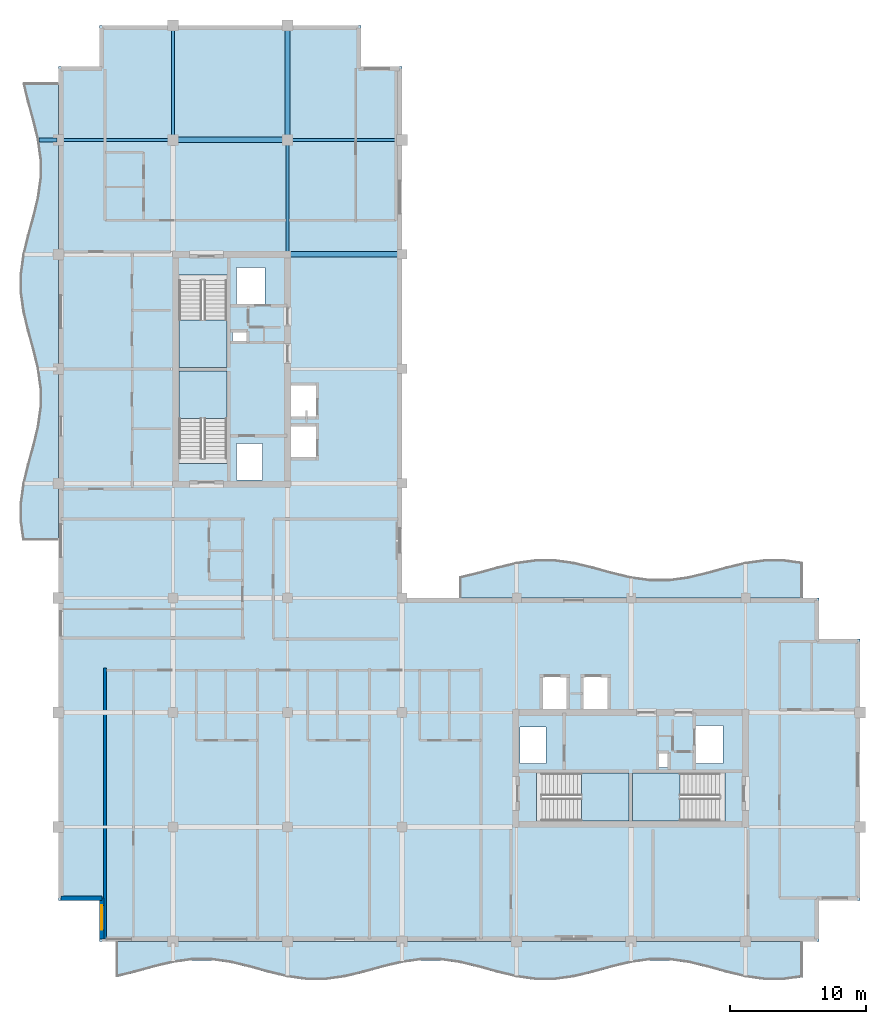
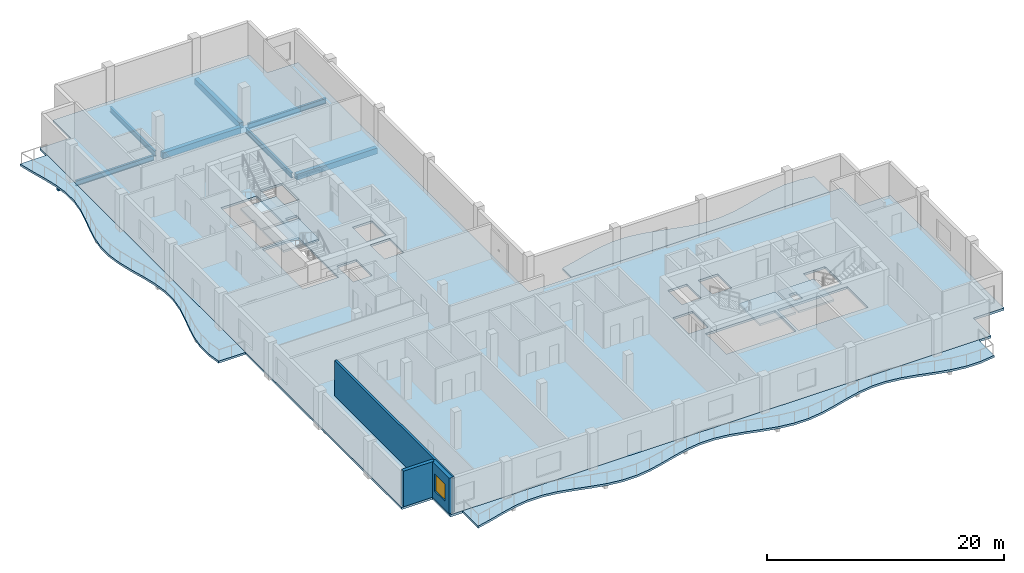
# One storey, part 2 of 11: 8 beams, 8 slabs, 3 walls, 1 window, 1 opening, 4 elements without a shape of their own.
"""IFC4 building model written with IfcOpenShell, lengths in metres."""

from ifc_helpers import new_model, si_unit, direction, frame, frame_2d, origin, origin_2d, place, context, subcontext, project, spatial, polyline, rectangle, i_section, outline, extrude, material, layer, layer_set, material_profile, profile_set, type_object, element, fill, aggregate, save


model = new_model("IFC4")

# Units and contexts
model_context = context("Model", 3, precision=1e-05, world=origin(), true_north=direction((0.0, 1.0)))
body_context = subcontext(model_context, "Body", "Model", "MODEL_VIEW")
ifc_project = project(units=[si_unit("LENGTHUNIT", "METRE"), si_unit("AREAUNIT", "SQUARE_METRE"), si_unit("VOLUMEUNIT", "CUBIC_METRE"), si_unit("PLANEANGLEUNIT", "RADIAN"), si_unit("MASSUNIT", "GRAM", prefix="KILO")], contexts=[model_context])

# Site, building, storey
site_placement = place(None, origin())
site = spatial("IfcSite", under=ifc_project, at=site_placement, CompositionType="ELEMENT")
building_placement = place(site_placement, origin())
building = spatial("IfcBuilding", under=site, at=building_placement, Name="Koriwani Terraces Tower", CompositionType="ELEMENT")
storey_placement = place(building_placement, frame((0.0, 0.0, 312.5)))
storey = spatial("IfcBuildingStorey", under=building, at=storey_placement, Name="L77", CompositionType="ELEMENT", Elevation=312.5)

# Beams
ifc_material_1 = material(Name="Concrete C40/50", Category="concrete")
ifc_material_profile_1 = material_profile(ifc_material_1, rectangle(XDim=0.300048828125, YDim=0.39990234375, at=origin_2d()), Name="Concrete C40/50", Category="LoadBearing")
ifc_profile_set_1 = profile_set([ifc_material_profile_1], Name="Concrete C40/50")
beam_type_1 = type_object("IfcBeamType", Name="BEAM_RC_BALCONY_RIB_300X400", PredefinedType="JOIST", material=ifc_profile_set_1)
beam_1_placement = place(storey_placement, frame((6.980224609375, 67.199951171875, -0.429931640625), z_axis=(1.0, 0.0, 0.0), x_axis=(0.0, 1.0, 0.0)))
element("IfcBeam", 1, at=beam_1_placement, inside=storey, type_object=beam_type_1, Name="L77 Balcony Bracket Rib W-4", PredefinedType="JOIST", context=body_context, shape_type="SweptSolid", body=[
    extrude(rectangle(XDim=0.300048828125, YDim=0.39990234375, at=origin_2d()), origin(), (0.0, 0.0, 1.0), 1.31982421875),
])
ifc_material_profile_2 = material_profile(ifc_material_1, rectangle(XDim=0.39990234375, YDim=0.60009765625, at=origin_2d()), Name="Concrete C40/50", Category="LoadBearing")
ifc_profile_set_2 = profile_set([ifc_material_profile_2], Name="Concrete C40/50")
beam_type_2 = type_object("IfcBeamType", Name="BEAM_RC_GRID_400X600", PredefinedType="BEAM", material=ifc_profile_set_2)
beam_2_placement = place(storey_placement, frame((25.429931640625, 58.800048828125, -0.530029296875), z_axis=(1.0, 0.0, 0.0), x_axis=(0.0, 1.0, 0.0)))
element("IfcBeam", 2, at=beam_2_placement, inside=storey, type_object=beam_type_2, Name="L77 Grid Beam H (25.2-33.6m)", PredefinedType="BEAM", context=body_context, shape_type="SweptSolid", body=[
    extrude(rectangle(XDim=0.39990234375, YDim=0.60009765625, at=origin_2d()), origin(), (0.0, 0.0, 1.0), 7.840087890625),
])
beam_3_placement = place(storey_placement, frame((17.179931640625, 67.199951171875, -0.530029296875), z_axis=(1.0, 0.0, 0.0), x_axis=(0.0, 1.0, 0.0)))
element("IfcBeam", 3, at=beam_3_placement, inside=storey, type_object=beam_type_2, Name="L77 Grid Beam I (16.8-25.2m)", PredefinedType="BEAM", context=body_context, shape_type="SweptSolid", body=[
    extrude(rectangle(XDim=0.39990234375, YDim=0.60009765625, at=origin_2d()), origin(), (0.0, 0.0, 1.0), 7.64013671875),
])
beam_4_placement = place(storey_placement, frame((25.199951171875, 67.580078125, -0.530029296875), z_axis=(0.0, 1.0, 0.0), x_axis=(-1.0, 0.0, 0.0)))
element("IfcBeam", 4, at=beam_4_placement, inside=storey, type_object=beam_type_2, Name="L77 Grid Beam 4 (67.2-75.6m)", PredefinedType="BEAM", context=body_context, shape_type="SweptSolid", body=[
    extrude(rectangle(XDim=0.39990234375, YDim=0.60009765625, at=origin_2d()), origin(), (0.0, 0.0, 1.0), 7.639892578125),
])
ifc_material_2 = material(Name="Steel ASTM A572 Grade 50", Category="steel")
ifc_material_profile_3 = material_profile(ifc_material_2, i_section(OverallWidth=0.2109375, OverallDepth=0.5390625, WebThickness=0.01171875, FlangeThickness=0.018798828125, at=origin_2d()), Name="Steel ASTM A572 Grade 50", Category="LoadBearing")
ifc_profile_set_3 = profile_set([ifc_material_profile_3], Name="Steel ASTM A572 Grade 50")
beam_type_3 = type_object("IfcBeamType", Name="STEEL_BEAM_W530X109", PredefinedType="BEAM", material=ifc_profile_set_3)
for number, where, z_axis, x_axis, name in (
    (5, (8.780029296875, 67.199951171875, -0.49951171875), (1.0, 0.0, 0.0), (0.0, 1.0, 0.0), "L77 Grid Beam I (8.4-16.8m)"),
    (6, (25.580078125, 67.199951171875, -0.49951171875), (1.0, 0.0, 0.0), (0.0, 1.0, 0.0), "L77 Grid Beam I (25.2-33.6m)"),
    (7, (16.800048828125, 67.580078125, -0.49951171875), (0.0, 1.0, 0.0), (-1.0, 0.0, 0.0), "L77 Grid Beam 3 (67.2-75.6m)"),
):
    element("IfcBeam", number, at=place(storey_placement, frame(where, z_axis=z_axis, x_axis=x_axis)), inside=storey, type_object=beam_type_3, Name=name, PredefinedType="BEAM", context=body_context, shape_type="SweptSolid", body=[
        extrude(i_section(OverallWidth=0.2109375, OverallDepth=0.5390625, WebThickness=0.01171875, FlangeThickness=0.018798828125, at=origin_2d()), origin(), (0.0, 0.0, 1.0), 7.639892578125),
    ])
beam_5_placement = place(storey_placement, frame((25.199951171875, 59.030029296875, -0.49951171875), z_axis=(0.0, 1.0, 0.0), x_axis=(-1.0, 0.0, 0.0)))
element("IfcBeam", 8, at=beam_5_placement, inside=storey, type_object=beam_type_3, Name="L77 Grid Beam 4 (58.8-67.2m)", PredefinedType="BEAM", context=body_context, shape_type="SweptSolid", body=[
    extrude(i_section(OverallWidth=0.2109375, OverallDepth=0.5390625, WebThickness=0.01171875, FlangeThickness=0.018798828125, at=origin_2d()), origin(), (0.0, 0.0, 1.0), 7.7900390625),
])

# Slabs
ifc_layer_1 = layer(ifc_material_1, 0.219970703125, Name="Concrete C40/50")
ifc_layer_set_1 = layer_set([ifc_layer_1], Name="Concrete C40/50")
slab_type_1 = type_object("IfcSlabType", Name="SLAB_BALCONY_220", PredefinedType="FLOOR", material=ifc_layer_set_1)
slab_1_placement = place(storey_placement, frame((0.0, 0.0, -0.219970703125)))
element("IfcSlab", 9, at=slab_1_placement, inside=storey, type_object=slab_type_1, Name="L77 Quilted Circular-Arc Balcony (S)", PredefinedType="FLOOR", context=body_context, shape_type="SweptSolid", body=[
    extrude(outline(polyline([(12.60009765625, 8.39990234375), (14.0, 8.39990234375), (15.39990234375, 8.39990234375), (16.800048828125, 8.39990234375), (18.199951171875, 8.39990234375), (19.60009765625, 8.39990234375), (21.0, 8.39990234375), (22.39990234375, 8.39990234375), (23.800048828125, 8.39990234375), (25.199951171875, 8.39990234375), (26.60009765625, 8.39990234375), (28.0, 8.39990234375), (29.39990234375, 8.39990234375), (30.800048828125, 8.39990234375), (32.199951171875, 8.39990234375), (33.60009765625, 8.39990234375), (35.0, 8.39990234375), (36.39990234375, 8.39990234375), (37.800048828125, 8.39990234375), (39.199951171875, 8.39990234375), (40.60009765625, 8.39990234375), (42.0, 8.39990234375), (43.39990234375, 8.39990234375), (44.800048828125, 8.39990234375), (46.199951171875, 8.39990234375), (47.60009765625, 8.39990234375), (49.0, 8.39990234375), (50.39990234375, 8.39990234375), (51.800048828125, 8.39990234375), (53.199951171875, 8.39990234375), (54.60009765625, 8.39990234375), (56.0, 8.39990234375), (57.39990234375, 8.39990234375), (58.800048828125, 8.39990234375), (60.199951171875, 8.39990234375), (61.60009765625, 8.39990234375), (63.0, 8.39990234375), (63.0, 5.769775390625), (61.60009765625, 5.57568359375), (60.199951171875, 5.57568359375), (58.800048828125, 5.769775390625), (57.39990234375, 6.10595703125), (56.0, 6.494140625), (54.60009765625, 6.830322265625), (53.199951171875, 7.0244140625), (51.800048828125, 7.0244140625), (50.39990234375, 6.830322265625), (49.0, 6.494140625), (47.60009765625, 6.10595703125), (46.199951171875, 5.769775390625), (44.800048828125, 5.57568359375), (43.39990234375, 5.57568359375), (42.0, 5.769775390625), (40.60009765625, 6.10595703125), (39.199951171875, 6.494140625), (37.800048828125, 6.830322265625), (36.39990234375, 7.0244140625), (35.0, 7.0244140625), (33.60009765625, 6.830322265625), (32.199951171875, 6.494140625), (30.800048828125, 6.10595703125), (29.39990234375, 5.769775390625), (28.0, 5.57568359375), (26.60009765625, 5.57568359375), (25.199951171875, 5.769775390625), (23.800048828125, 6.10595703125), (22.39990234375, 6.494140625), (21.0, 6.830322265625), (19.60009765625, 7.0244140625), (18.199951171875, 7.0244140625), (16.800048828125, 6.830322265625), (15.39990234375, 6.494140625), (14.0, 6.10595703125), (12.60009765625, 5.769775390625), (12.60009765625, 8.39990234375)])), origin(), (0.0, 0.0, 1.0), 0.219970703125),
])
slab_2_placement = place(storey_placement, frame((0.0, 0.0, -0.219970703125)))
element("IfcSlab", 10, at=slab_2_placement, inside=storey, type_object=slab_type_1, Name="L77 Quilted Circular-Arc Balcony (W)", PredefinedType="FLOOR", context=body_context, shape_type="SweptSolid", body=[
    extrude(outline(polyline([(8.39990234375, 37.800048828125), (8.39990234375, 39.199951171875), (8.39990234375, 40.60009765625), (8.39990234375, 42.0), (8.39990234375, 43.39990234375), (8.39990234375, 44.800048828125), (8.39990234375, 46.199951171875), (8.39990234375, 47.60009765625), (8.39990234375, 49.0), (8.39990234375, 50.39990234375), (8.39990234375, 51.800048828125), (8.39990234375, 53.199951171875), (8.39990234375, 54.60009765625), (8.39990234375, 56.0), (8.39990234375, 57.39990234375), (8.39990234375, 58.800048828125), (8.39990234375, 60.199951171875), (8.39990234375, 61.60009765625), (8.39990234375, 63.0), (8.39990234375, 64.39990234375), (8.39990234375, 65.800048828125), (8.39990234375, 67.199951171875), (8.39990234375, 68.60009765625), (8.39990234375, 70.0), (8.39990234375, 71.39990234375), (5.769775390625, 71.39990234375), (6.10595703125, 70.0), (6.494140625, 68.60009765625), (6.830322265625, 67.199951171875), (7.0244140625, 65.800048828125), (7.0244140625, 64.39990234375), (6.830322265625, 63.0), (6.494140625, 61.60009765625), (6.10595703125, 60.199951171875), (5.769775390625, 58.800048828125), (5.57568359375, 57.39990234375), (5.57568359375, 56.0), (5.769775390625, 54.60009765625), (6.10595703125, 53.199951171875), (6.494140625, 51.800048828125), (6.830322265625, 50.39990234375), (7.0244140625, 49.0), (7.0244140625, 47.60009765625), (6.830322265625, 46.199951171875), (6.494140625, 44.800048828125), (6.10595703125, 43.39990234375), (5.769775390625, 42.0), (5.57568359375, 40.60009765625), (5.57568359375, 39.199951171875), (5.769775390625, 37.800048828125), (8.39990234375, 37.800048828125)])), origin(), (0.0, 0.0, 1.0), 0.219970703125),
])
slab_3_placement = place(storey_placement, frame((0.0, 0.0, -0.219970703125)))
element("IfcSlab", 11, at=slab_3_placement, inside=storey, type_object=slab_type_1, Name="L77 Quilted Circular-Arc Balcony (NE)", PredefinedType="FLOOR", context=body_context, shape_type="SweptSolid", body=[
    extrude(outline(polyline([(63.0, 33.60009765625), (61.60009765625, 33.60009765625), (60.199951171875, 33.60009765625), (58.800048828125, 33.60009765625), (57.39990234375, 33.60009765625), (56.0, 33.60009765625), (54.60009765625, 33.60009765625), (53.199951171875, 33.60009765625), (51.800048828125, 33.60009765625), (50.39990234375, 33.60009765625), (49.0, 33.60009765625), (47.60009765625, 33.60009765625), (46.199951171875, 33.60009765625), (44.800048828125, 33.60009765625), (43.39990234375, 33.60009765625), (42.0, 33.60009765625), (40.60009765625, 33.60009765625), (39.199951171875, 33.60009765625), (37.800048828125, 33.60009765625), (37.800048828125, 35.169677734375), (39.199951171875, 35.505859375), (40.60009765625, 35.89404296875), (42.0, 36.230224609375), (43.39990234375, 36.42431640625), (44.800048828125, 36.42431640625), (46.199951171875, 36.230224609375), (47.60009765625, 35.89404296875), (49.0, 35.505859375), (50.39990234375, 35.169677734375), (51.800048828125, 34.9755859375), (53.199951171875, 34.9755859375), (54.60009765625, 35.169677734375), (56.0, 35.505859375), (57.39990234375, 35.89404296875), (58.800048828125, 36.230224609375), (60.199951171875, 36.42431640625), (61.60009765625, 36.42431640625), (63.0, 36.230224609375), (63.0, 33.60009765625)])), origin(), (0.0, 0.0, 1.0), 0.219970703125),
])
ifc_layer_2 = layer(ifc_material_1, 0.22998046875, Name="Concrete C40/50")
ifc_layer_set_2 = layer_set([ifc_layer_2], Name="Concrete C40/50")
slab_type_2 = type_object("IfcSlabType", Name="SLAB_RES_TYP_230", PredefinedType="FLOOR", material=ifc_layer_set_2)
slab_4_placement = place(storey_placement, frame((0.0, 0.0, -0.22998046875)))
element("IfcSlab", 12, at=slab_4_placement, inside=storey, type_object=slab_type_2, Name="L77 Structural Floor Slab", PredefinedType="FLOOR", context=body_context, shape_type="SweptSolid", body=[
    extrude(outline(polyline([(11.39990234375, 8.39990234375), (64.199951171875, 8.39990234375), (64.199951171875, 11.39990234375), (67.199951171875, 11.39990234375), (67.199951171875, 30.60009765625), (64.199951171875, 30.60009765625), (64.199951171875, 33.60009765625), (33.60009765625, 33.60009765625), (33.60009765625, 72.60009765625), (30.60009765625, 72.60009765625), (30.60009765625, 75.60009765625), (11.39990234375, 75.60009765625), (11.39990234375, 72.60009765625), (8.39990234375, 72.60009765625), (8.39990234375, 11.39990234375), (11.39990234375, 11.39990234375), (11.39990234375, 8.39990234375)]), holes=[polyline([(17.25, 43.4599609375), (20.75, 43.4599609375), (20.75, 50.25), (17.25, 50.25), (17.25, 43.4599609375)]), polyline([(17.25, 50.5), (20.75, 50.5), (20.75, 57.2900390625), (17.25, 57.2900390625), (17.25, 50.5)]), polyline([(43.4599609375, 17.25), (50.25, 17.25), (50.25, 20.75), (43.4599609375, 20.75), (43.4599609375, 17.25)]), polyline([(50.5, 17.25), (57.2900390625, 17.25), (57.2900390625, 20.75), (50.5, 20.75), (50.5, 17.25)]), polyline([(25.449951171875, 43.85009765625), (27.35009765625, 43.85009765625), (27.35009765625, 46.25), (25.449951171875, 46.25), (25.449951171875, 43.85009765625)]), polyline([(25.449951171875, 46.85009765625), (27.35009765625, 46.85009765625), (27.35009765625, 49.25), (25.449951171875, 49.25), (25.449951171875, 46.85009765625)]), polyline([(43.85009765625, 25.449951171875), (45.75, 25.449951171875), (45.75, 27.85009765625), (43.85009765625, 27.85009765625), (43.85009765625, 25.449951171875)]), polyline([(46.85009765625, 25.449951171875), (48.75, 25.449951171875), (48.75, 27.85009765625), (46.85009765625, 27.85009765625), (46.85009765625, 25.449951171875)]), polyline([(21.449951171875, 55.050048828125), (23.550048828125, 55.050048828125), (23.550048828125, 57.85009765625), (21.449951171875, 57.85009765625), (21.449951171875, 55.050048828125)]), polyline([(55.050048828125, 21.449951171875), (57.14990234375, 21.449951171875), (57.14990234375, 24.25), (55.050048828125, 24.25), (55.050048828125, 21.449951171875)]), polyline([(21.449951171875, 42.25), (23.35009765625, 42.25), (23.35009765625, 44.949951171875), (21.449951171875, 44.949951171875), (21.449951171875, 42.25)]), polyline([(42.25, 21.449951171875), (44.14990234375, 21.449951171875), (44.14990234375, 24.14990234375), (42.25, 24.14990234375), (42.25, 21.449951171875)]), polyline([(21.14990234375, 52.419921875), (22.219970703125, 52.419921875), (22.219970703125, 53.179931640625), (21.14990234375, 53.179931640625), (21.14990234375, 52.419921875)]), polyline([(52.419921875, 21.14990234375), (53.179931640625, 21.14990234375), (53.179931640625, 22.219970703125), (52.419921875, 22.219970703125), (52.419921875, 21.14990234375)])]), origin(), (0.0, 0.0, 1.0), 0.22998046875),
])

# Stair, slab
stair_type = type_object("IfcStairType", Name="STAIR_CORE_DOGLEG_1650", PredefinedType="TWO_STRAIGHT_RUN_STAIR", material=ifc_material_1)
stair_1_placement = place(storey_placement, origin())
stair_1 = element("IfcStair", 13, at=stair_1_placement, inside=storey, type_object=stair_type, Name="L77 West Core Exit Stair 1", PredefinedType="HALF_TURN_STAIR")
ifc_layer_3 = layer(ifc_material_1, 0.199951171875, Name="Concrete C40/50")
ifc_layer_set_3 = layer_set([ifc_layer_3], Name="Concrete C40/50")
slab_type_3 = type_object("IfcSlabType", Name="SLAB_STAIR_LANDING_200", PredefinedType="LANDING", material=ifc_layer_set_3)
slab_5_placement = place(storey_placement, frame((0.0, 0.0, 1.75)))
slab_5 = element("IfcSlab", 14, at=slab_5_placement, type_object=slab_type_3, Name="ST-W1 landing 1", PredefinedType="LANDING", context=body_context, shape_type="SweptSolid", body=[
    extrude(outline(polyline([(20.75, 46.75), (20.75, 50.25), (17.25, 50.25), (17.25, 46.75), (20.75, 46.75)])), origin(), (0.0, 0.0, 1.0), 0.199951171875),
])
aggregate(stair_1, [slab_5])

stair_2_placement = place(storey_placement, origin())
stair_2 = element("IfcStair", 15, at=stair_2_placement, inside=storey, type_object=stair_type, Name="L77 West Core Exit Stair 2", PredefinedType="HALF_TURN_STAIR")
slab_6_placement = place(storey_placement, frame((0.0, 0.0, 1.75)))
slab_6 = element("IfcSlab", 16, at=slab_6_placement, type_object=slab_type_3, Name="ST-W2 landing 1", PredefinedType="LANDING", context=body_context, shape_type="SweptSolid", body=[
    extrude(outline(polyline([(17.25, 54.0), (17.25, 50.5), (20.75, 50.5), (20.75, 54.0), (17.25, 54.0)])), origin(), (0.0, 0.0, 1.0), 0.199951171875),
])
aggregate(stair_2, [slab_6])

stair_3_placement = place(storey_placement, origin())
stair_3 = element("IfcStair", 17, at=stair_3_placement, inside=storey, type_object=stair_type, Name="L77 East Core Exit Stair 1", PredefinedType="HALF_TURN_STAIR")
slab_7_placement = place(storey_placement, frame((0.0, 0.0, 1.75)))
slab_7 = element("IfcSlab", 18, at=slab_7_placement, type_object=slab_type_3, Name="ST-E1 landing 1", PredefinedType="LANDING", context=body_context, shape_type="SweptSolid", body=[
    extrude(outline(polyline([(46.75, 17.25), (50.25, 17.25), (50.25, 20.75), (46.75, 20.75), (46.75, 17.25)])), origin(), (0.0, 0.0, 1.0), 0.199951171875),
])
aggregate(stair_3, [slab_7])

stair_4_placement = place(storey_placement, origin())
stair_4 = element("IfcStair", 19, at=stair_4_placement, inside=storey, type_object=stair_type, Name="L77 East Core Exit Stair 2", PredefinedType="HALF_TURN_STAIR")
slab_8_placement = place(storey_placement, frame((0.0, 0.0, 1.75)))
slab_8 = element("IfcSlab", 20, at=slab_8_placement, type_object=slab_type_3, Name="ST-E2 landing 1", PredefinedType="LANDING", context=body_context, shape_type="SweptSolid", body=[
    extrude(outline(polyline([(54.0, 20.75), (50.5, 20.75), (50.5, 17.25), (54.0, 17.25), (54.0, 20.75)])), origin(), (0.0, 0.0, 1.0), 0.199951171875),
])
aggregate(stair_4, [slab_8])

# Wall
ifc_material_3 = material(Name="Autoclaved Cellular Concrete Blockwork", Category="masonry")
ifc_layer_4 = layer(ifc_material_3, 0.219970703125, Name="Autoclaved Cellular Concrete Blockwork")
ifc_layer_set_4 = layer_set([ifc_layer_4], Name="Autoclaved Cellular Concrete Blockwork")
wall_type_1 = type_object("IfcWallType", Name="WALL_DEMISING_220", PredefinedType="PARTITIONING", material=ifc_layer_set_4)
wall_1_placement = place(storey_placement, frame((11.800048828125, 8.60009765625, 0.0), z_axis=(0.0, 0.0, 1.0), x_axis=(0.0, 1.0, 0.0)))
element("IfcWall", 21, at=wall_1_placement, inside=storey, type_object=wall_type_1, Name="L77 Interior Wall WRDEM-L77-SW-0", PredefinedType="PARTITIONING", context=body_context, shape_type="SweptSolid", body=[
    extrude(rectangle(XDim=19.8798828125, YDim=0.219970703125, at=frame_2d((9.93994140625, 0.0))), origin(), (0.0, 0.0, 1.0), 3.669921875),
])

# Wall, opening, window
ifc_material_4 = material(Name="Concrete C50/60", Category="concrete")
ifc_layer_5 = layer(ifc_material_4, 0.35009765625, Name="Concrete C50/60")
ifc_layer_set_5 = layer_set([ifc_layer_5], Name="Concrete C50/60")
wall_type_2 = type_object("IfcWallType", Name="WALL_EXT_BRUTALIST_350", PredefinedType="STANDARD", material=ifc_layer_set_5)
wall_2_placement = place(storey_placement, frame((11.574951171875, 8.574951171875, 0.0), z_axis=(0.0, 0.0, 1.0), x_axis=(0.0, 1.0, 0.0)))
wall_2 = element("IfcWall", 22, at=wall_2_placement, inside=storey, type_object=wall_type_2, Name="L77 Fair-Faced Brutalist Exterior Wall (N0)", PredefinedType="STANDARD", context=body_context, shape_type="SweptSolid", body=[
    extrude(rectangle(XDim=3.0, YDim=0.35009765625, at=frame_2d((1.5, 0.0))), origin(), (0.0, 0.0, 1.0), 3.669921875),
])
opening_placement = place(wall_2_placement, frame((0.677490234375, 0.0, 0.85009765625)))
opening = element("IfcOpeningElement", 23, at=opening_placement, cuts=wall_2, Name="Opening W-04", PredefinedType="OPENING", context=body_context, shape_type="SweptSolid", body=[
    extrude(rectangle(XDim=1.800048828125, YDim=1.800048828125, at=frame_2d((0.89990234375, 0.89990234375))), frame((0.0, 0.18505859375, 0.0), z_axis=(0.0, -1.0, 0.0), x_axis=(1.0, 0.0, 0.0)), (0.0, 0.0, 1.0), 0.3701171875),
])
ifc_material_5 = material(Name="Tempered Laminated Low-E Glass", Category="glass")
window_type = type_object("IfcWindowType", Name="WIN_RES_BED_1800X1800", PartitioningType="DOUBLE_PANEL_VERTICAL", PredefinedType="WINDOW", material=ifc_material_5)
window_placement = place(opening_placement, origin())
window = element("IfcWindow", 24, at=window_placement, inside=storey, type_object=window_type, Name="L77 Exterior Window (N0-R33)", OverallHeight=1.800048828125, OverallWidth=1.800048828125, PartitioningType="SINGLE_PANEL", PredefinedType="WINDOW", context=body_context, shape_type="SweptSolid", body=[
    extrude(rectangle(XDim=1.800048828125, YDim=1.800048828125, at=frame_2d((0.89990234375, 0.89990234375))), frame((0.0, 0.030029296875, 0.0), z_axis=(0.0, -1.0, 0.0), x_axis=(1.0, 0.0, 0.0)), (0.0, 0.0, 1.0), 0.06005859375),
])
fill(opening, window)

# Wall
wall_3_placement = place(storey_placement, frame((11.574951171875, 11.574951171875, 0.0), z_axis=(0.0, 0.0, 1.0), x_axis=(-1.0, 0.0, 0.0)))
element("IfcWall", 25, at=wall_3_placement, inside=storey, type_object=wall_type_2, Name="L77 Fair-Faced Brutalist Exterior Wall (N1)", PredefinedType="STANDARD", context=body_context, shape_type="SweptSolid", body=[
    extrude(rectangle(XDim=3.0, YDim=0.35009765625, at=frame_2d((1.5, 0.0))), origin(), (0.0, 0.0, 1.0), 3.669921875),
])

save(model, "model.ifc")
